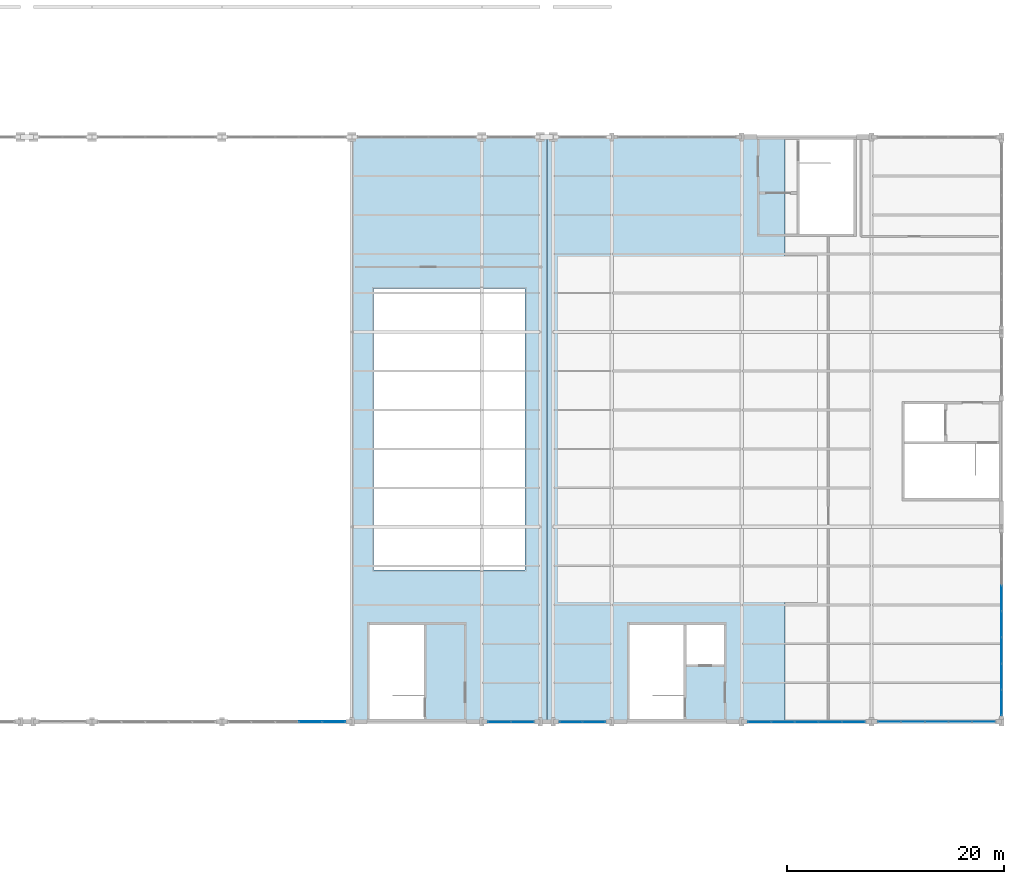
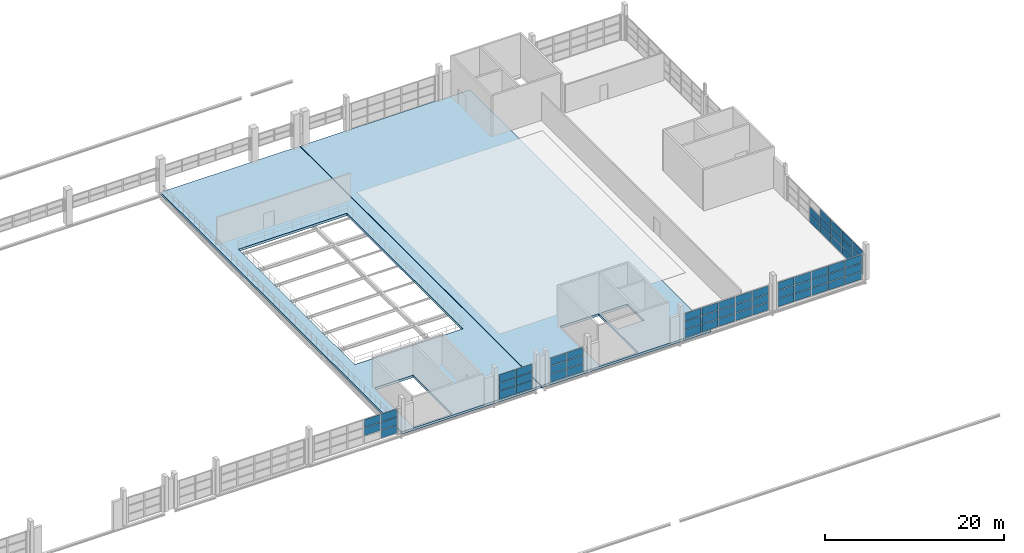
# One storey, part 72 of 86: 61 plates, 2 slabs, 6 elements without a shape of their own.
"""IFC4 building model written with IfcOpenShell, lengths in metres."""

import ifcopenshell
import ifcopenshell.guid

model = None  # the IFC model being written
_history = None  # IfcOwnerHistory: only IFC2X3 demands one
_inside = {}  # id of a spatial element -> (the spatial element, [elements in it])
_under = {}  # id of a project, library or spatial element -> (it, [spatial elements below it])
_declared = {}  # id of a project -> (the project, [libraries it declares])
_typed = {}  # id of a type object -> (the type object, [elements of that type])
_made_of = {}  # id of a material, layer set ... -> (it, [elements and type objects made of it])


def new_model(schema):
    """Start an empty IFC model of exactly this schema.

    Asked for "IFC4X3", IfcOpenShell would pick the latest addendum, in which some entities
    have other attributes; the version numbers below select the first issue.
    IFC2X3 requires an IfcOwnerHistory on every rooted entity: one is made here for all.
    """
    global model, _history
    if schema == "IFC4X3":
        model = ifcopenshell.file(schema_version=(4, 3, 0, 0))
    else:
        model = ifcopenshell.file(schema=schema)
    _inside.clear()
    _under.clear()
    _declared.clear()
    _typed.clear()
    _made_of.clear()
    _history = None
    if model.schema == "IFC2X3":
        org = make("IfcOrganization", Name="unknown")
        user = make(
            "IfcPersonAndOrganization",
            ThePerson=make("IfcPerson", FamilyName="unknown"),
            TheOrganization=org,
        )
        app = make(
            "IfcApplication",
            ApplicationDeveloper=org,
            Version="unknown",
            ApplicationFullName="unknown",
            ApplicationIdentifier="unknown",
        )
        _history = make(
            "IfcOwnerHistory",
            OwningUser=user,
            OwningApplication=app,
            ChangeAction="ADDED",
            CreationDate=0,
        )
    return model


def make(cls, **values):
    """One entity of the class cls with the attributes given. An attribute that is None is left unset."""
    return model.create_entity(
        cls, **{name: value for name, value in values.items() if value is not None}
    )


def rooted(cls, **values):
    """An entity with a GlobalId (a new one), such as an element, a storey or a relation."""
    return make(cls, GlobalId=ifcopenshell.guid.new(), OwnerHistory=_history, **values)


def si_unit(unit_type, name, prefix=None):
    """IfcSIUnit, for example si_unit("LENGTHUNIT", "METRE", prefix="MILLI")."""
    return make("IfcSIUnit", UnitType=unit_type, Prefix=prefix, Name=name)


def assignment(units):
    """IfcUnitAssignment: the units of a project."""
    return None if units is None else make("IfcUnitAssignment", Units=units)


def point(xyz):
    """IfcCartesianPoint."""
    return None if xyz is None else make("IfcCartesianPoint", Coordinates=xyz)


def direction(xyz):
    """IfcDirection."""
    return None if xyz is None else make("IfcDirection", DirectionRatios=xyz)


def frame(location, z_axis=None, x_axis=None):
    """IfcAxis2Placement3D, a coordinate frame: its origin and axes. An axis left out is left unset."""
    return make(
        "IfcAxis2Placement3D",
        Location=point(location),
        Axis=direction(z_axis),
        RefDirection=direction(x_axis),
    )


def frame_2d(location, x_axis=None):
    """IfcAxis2Placement2D, a coordinate frame in the plane: its origin and x axis."""
    return make(
        "IfcAxis2Placement2D", Location=point(location), RefDirection=direction(x_axis)
    )


def origin():
    """The frame at (0, 0, 0) with its axes left unset."""
    return frame((0.0, 0.0, 0.0))


def origin_2d():
    """The frame at (0, 0) in the plane with its x axis left unset."""
    return frame_2d((0.0, 0.0))


def place(relative_to, where):
    """IfcLocalPlacement: puts the frame where relative to a parent placement (None: the world)."""
    return make(
        "IfcLocalPlacement", PlacementRelTo=relative_to, RelativePlacement=where
    )


def context(
    kind, dimensions, precision=None, world=None, true_north=None, identifier=None
):
    """IfcGeometricRepresentationContext, for example the 3D "Model" context."""
    return make(
        "IfcGeometricRepresentationContext",
        ContextIdentifier=identifier,
        ContextType=kind,
        CoordinateSpaceDimension=dimensions,
        Precision=precision,
        WorldCoordinateSystem=world,
        TrueNorth=true_north,
    )


def subcontext(parent, identifier, kind, view, scale=None):
    """IfcGeometricRepresentationSubContext, for example "Body" below "Model"."""
    return make(
        "IfcGeometricRepresentationSubContext",
        ContextIdentifier=identifier,
        ContextType=kind,
        ParentContext=parent,
        TargetScale=scale,
        TargetView=view,
    )


def project(units=None, contexts=None):
    """IfcProject with its units and contexts."""
    return rooted(
        "IfcProject",
        Name="project",
        RepresentationContexts=contexts,
        UnitsInContext=assignment(units),
    )


def spatial(cls, under=None, at=None, **own):
    """A site, building, storey or space (cls), placed at a placement, below another one or the project."""
    s = rooted(cls, ObjectPlacement=at, **own)
    if under is not None:
        _under.setdefault(under.id(), (under, []))[1].append(s)
    return s


def polyline(points):
    """IfcPolyline through the points."""
    return make("IfcPolyline", Points=[point(p) for p in points])


def profile(cls, at=None, kind="AREA", **sizes):
    """A parametric profile (cls). Its sizes go by their IFC names, for example OverallWidth=200.0."""
    return make(cls, ProfileType=kind, Position=at, **sizes)


def rectangle(**sizes):
    """IfcRectangleProfileDef."""
    return profile("IfcRectangleProfileDef", **sizes)


def outline(outer, holes=None, kind="AREA"):
    """IfcArbitraryClosedProfileDef: a profile drawn as a closed curve; with holes, ...WithVoids."""
    if holes is None:
        return make("IfcArbitraryClosedProfileDef", ProfileType=kind, OuterCurve=outer)
    return make(
        "IfcArbitraryProfileDefWithVoids",
        ProfileType=kind,
        OuterCurve=outer,
        InnerCurves=holes,
    )


def extrude(swept, where, along, depth):
    """IfcExtrudedAreaSolid: the profile swept, set in the frame where, extruded along a direction by depth."""
    return make(
        "IfcExtrudedAreaSolid",
        SweptArea=swept,
        Position=where,
        ExtrudedDirection=direction(along),
        Depth=depth,
    )


def shape(context_of_items, identifier, shape_type, items):
    """IfcShapeRepresentation: the items that make up one representation, for example the "Body"."""
    return make(
        "IfcShapeRepresentation",
        ContextOfItems=context_of_items,
        RepresentationIdentifier=identifier,
        RepresentationType=shape_type,
        Items=items,
    )


def material(Name=None, Category=None):
    """IfcMaterial."""
    return make("IfcMaterial", Name=Name, Category=Category)


def layer(
    of_material, thickness, ventilated=None, Name=None, Category=None, Priority=None
):
    """IfcMaterialLayer: one layer of a wall or slab, of a material (None: an air gap)."""
    return make(
        "IfcMaterialLayer",
        Material=of_material,
        LayerThickness=thickness,
        IsVentilated=ventilated,
        Name=Name,
        Category=Category,
        Priority=Priority,
    )


def layer_set(layers, Name=None):
    """IfcMaterialLayerSet."""
    return make("IfcMaterialLayerSet", MaterialLayers=layers, LayerSetName=Name)


def made_of(thing, what):
    """Note that an element or type object is made of a material, layer set ...; save() writes the relation."""
    if what is not None:
        _made_of.setdefault(what.id(), (what, []))[1].append(thing)
    return thing


def type_object(cls, material=None, **own):
    """A type object (cls), such as IfcWallType, which elements share."""
    return made_of(rooted(cls, **own), material)


def element(
    cls,
    number,
    at=None,
    inside=None,
    cuts=None,
    type_object=None,
    material=None,
    context=None,
    identifier="Body",
    shape_type=None,
    held_by="IfcProductDefinitionShape",
    body=None,
    shapes=None,
    **own,
):
    """One element of the class cls, such as IfcWall. Its Tag is "e" and its number.

    at: its placement. inside: the storey or other place that contains it. cuts: it is an
    opening in that element (IfcRelVoidsElement). A single representation is given by context,
    identifier, shape_type and body (its items); several are given by shapes. held_by: the class
    of the entity that holds the representations. save() writes the other relations.
    """
    e = rooted(cls, Tag="e%d" % number, ObjectPlacement=at, **own)
    if body is not None:
        shapes = [shape(context, identifier, shape_type, body)]
    if shapes is not None:
        e.Representation = make(held_by, Representations=shapes)
    if inside is not None:
        _inside.setdefault(inside.id(), (inside, []))[1].append(e)
    if cuts is not None:
        rooted(
            "IfcRelVoidsElement", RelatingBuildingElement=cuts, RelatedOpeningElement=e
        )
    if type_object is not None:
        _typed.setdefault(type_object.id(), (type_object, []))[1].append(e)
    return made_of(e, material)


def aggregate(whole, parts):
    """IfcRelAggregates: a whole, such as a stair, and the parts it consists of."""
    return rooted("IfcRelAggregates", RelatingObject=whole, RelatedObjects=parts)


def save(model, path):
    """Write the relations noted so far, then the file.

    IfcRelAggregates (storeys below a building ...), IfcRelContainedInSpatialStructure (elements
    in a storey), IfcRelDefinesByType, IfcRelAssociatesMaterial and IfcRelDeclares: one each for
    every whole, place, type object, material and project.
    """
    for whole, parts in _under.values():
        aggregate(whole, parts)
    for where, things in _inside.values():
        rooted(
            "IfcRelContainedInSpatialStructure",
            RelatedElements=things,
            RelatingStructure=where,
        )
    for kind, things in _typed.values():
        rooted("IfcRelDefinesByType", RelatedObjects=things, RelatingType=kind)
    for what, things in _made_of.values():
        rooted("IfcRelAssociatesMaterial", RelatedObjects=things, RelatingMaterial=what)
    for by, libraries in _declared.values():
        rooted("IfcRelDeclares", RelatingContext=by, RelatedDefinitions=libraries)
    model.write(path)


model = new_model("IFC4")

# Units and contexts
model_context = context("Model", 3, precision=1e-05, world=origin(), true_north=direction((0.0, 1.0)))
body_context = subcontext(model_context, "Body", "Model", "MODEL_VIEW")
ifc_project = project(units=[si_unit("LENGTHUNIT", "METRE"), si_unit("AREAUNIT", "SQUARE_METRE"), si_unit("VOLUMEUNIT", "CUBIC_METRE"), si_unit("PLANEANGLEUNIT", "RADIAN"), si_unit("MASSUNIT", "GRAM", prefix="KILO")], contexts=[model_context])

# Site, building, storey
site_placement = place(None, origin())
site = spatial("IfcSite", under=ifc_project, at=site_placement, CompositionType="ELEMENT")
building_placement = place(site_placement, origin())
building = spatial("IfcBuilding", under=site, at=building_placement, Name="Zilviju Railside Exhibition Hall", CompositionType="ELEMENT")
storey_placement = place(building_placement, frame((0.0, 0.0, 12.60009765625)))
storey = spatial("IfcBuildingStorey", under=building, at=storey_placement, Name="L04", CompositionType="ELEMENT", Elevation=12.60009765625)

# Curtain wall, plates
ifc_material_1 = material(Name="Thermally broken aluminium-steel triple-glazed curtain wall", Category="steel")
ifc_layer_1 = layer(ifc_material_1, 0.179931640625)
ifc_layer_set_1 = layer_set([ifc_layer_1], Name="Thermally broken aluminium-steel triple-glazed curtain wall")
curtain_wall_type_1 = type_object("IfcCurtainWallType", Name="CW-BAY-19", PredefinedType="USERDEFINED", material=ifc_layer_set_1)
curtain_wall_1_placement = place(storey_placement, origin())
curtain_wall_1 = element("IfcCurtainWall", 1, at=curtain_wall_1_placement, inside=storey, type_object=curtain_wall_type_1, Name="North Hall Garden Court Curtain Wall L04 (204..216)", ObjectType="GLAZED CURTAIN WALL", PredefinedType="USERDEFINED")
ifc_material_2 = material(Name="Laminated acoustic double-glazed porch unit", Category="glass")
ifc_layer_2 = layer(ifc_material_2, 0.031982421875)
ifc_layer_set_2 = layer_set([ifc_layer_2], Name="Laminated acoustic double-glazed porch unit")
plate_type_1 = type_object("IfcPlateType", Name="CWP-IGU-32", PredefinedType="CURTAIN_PANEL", material=ifc_layer_set_2)
plate_1_placement = place(storey_placement, frame((214.344970703125, 84.0, 0.059814453125), z_axis=(0.0, 0.0, 1.0), x_axis=(-1.0, 0.0, 0.0)))
plate_1 = element("IfcPlate", 2, at=plate_1_placement, type_object=plate_type_1, Name="CW-19 panel 1.1", PredefinedType="CURTAIN_PANEL", context=body_context, shape_type="SweptSolid", body=[
    extrude(rectangle(XDim=2.090087890625, YDim=0.031982421875, at=origin_2d()), origin(), (0.0, 0.0, 1.0), 1.06005859375),
])
plate_2_placement = place(storey_placement, frame((214.344970703125, 84.0, 1.1796875), z_axis=(0.0, 0.0, 1.0), x_axis=(-1.0, 0.0, 0.0)))
plate_2 = element("IfcPlate", 3, at=plate_2_placement, type_object=plate_type_1, Name="CW-19 panel 1.2", PredefinedType="CURTAIN_PANEL", context=body_context, shape_type="SweptSolid", body=[
    extrude(rectangle(XDim=2.090087890625, YDim=0.031982421875, at=origin_2d()), origin(), (0.0, 0.0, 1.0), 1.090087890625),
])
plate_3_placement = place(storey_placement, frame((214.344970703125, 84.0, 2.329833984375), z_axis=(0.0, 0.0, 1.0), x_axis=(-1.0, 0.0, 0.0)))
plate_3 = element("IfcPlate", 4, at=plate_3_placement, type_object=plate_type_1, Name="CW-19 panel 1.3", PredefinedType="CURTAIN_PANEL", context=body_context, shape_type="SweptSolid", body=[
    extrude(rectangle(XDim=2.090087890625, YDim=0.031982421875, at=origin_2d()), origin(), (0.0, 0.0, 1.0), 1.06005859375),
])
plate_4_placement = place(storey_placement, frame((212.179931640625, 84.0, 0.059814453125), z_axis=(0.0, 0.0, 1.0), x_axis=(-1.0, 0.0, 0.0)))
plate_4 = element("IfcPlate", 5, at=plate_4_placement, type_object=plate_type_1, Name="CW-19 panel 2.1", PredefinedType="CURTAIN_PANEL", context=body_context, shape_type="SweptSolid", body=[
    extrude(rectangle(XDim=2.1201171875, YDim=0.031982421875, at=origin_2d()), origin(), (0.0, 0.0, 1.0), 1.06005859375),
])
plate_5_placement = place(storey_placement, frame((212.179931640625, 84.0, 1.1796875), z_axis=(0.0, 0.0, 1.0), x_axis=(-1.0, 0.0, 0.0)))
plate_5 = element("IfcPlate", 6, at=plate_5_placement, type_object=plate_type_1, Name="CW-19 panel 2.2", PredefinedType="CURTAIN_PANEL", context=body_context, shape_type="SweptSolid", body=[
    extrude(rectangle(XDim=2.1201171875, YDim=0.031982421875, at=origin_2d()), origin(), (0.0, 0.0, 1.0), 1.090087890625),
])
plate_6_placement = place(storey_placement, frame((212.179931640625, 84.0, 2.329833984375), z_axis=(0.0, 0.0, 1.0), x_axis=(-1.0, 0.0, 0.0)))
plate_6 = element("IfcPlate", 7, at=plate_6_placement, type_object=plate_type_1, Name="CW-19 panel 2.3", PredefinedType="CURTAIN_PANEL", context=body_context, shape_type="SweptSolid", body=[
    extrude(rectangle(XDim=2.1201171875, YDim=0.031982421875, at=origin_2d()), origin(), (0.0, 0.0, 1.0), 1.06005859375),
])
plate_7_placement = place(storey_placement, frame((210.0, 84.0, 0.059814453125), z_axis=(0.0, 0.0, 1.0), x_axis=(-1.0, 0.0, 0.0)))
plate_7 = element("IfcPlate", 8, at=plate_7_placement, type_object=plate_type_1, Name="CW-19 panel 3.1", PredefinedType="CURTAIN_PANEL", context=body_context, shape_type="SweptSolid", body=[
    extrude(rectangle(XDim=2.1201171875, YDim=0.031982421875, at=origin_2d()), origin(), (0.0, 0.0, 1.0), 1.06005859375),
])
plate_8_placement = place(storey_placement, frame((210.0, 84.0, 1.1796875), z_axis=(0.0, 0.0, 1.0), x_axis=(-1.0, 0.0, 0.0)))
plate_8 = element("IfcPlate", 9, at=plate_8_placement, type_object=plate_type_1, Name="CW-19 panel 3.2", PredefinedType="CURTAIN_PANEL", context=body_context, shape_type="SweptSolid", body=[
    extrude(rectangle(XDim=2.1201171875, YDim=0.031982421875, at=origin_2d()), origin(), (0.0, 0.0, 1.0), 1.090087890625),
])
plate_9_placement = place(storey_placement, frame((210.0, 84.0, 2.329833984375), z_axis=(0.0, 0.0, 1.0), x_axis=(-1.0, 0.0, 0.0)))
plate_9 = element("IfcPlate", 10, at=plate_9_placement, type_object=plate_type_1, Name="CW-19 panel 3.3", PredefinedType="CURTAIN_PANEL", context=body_context, shape_type="SweptSolid", body=[
    extrude(rectangle(XDim=2.1201171875, YDim=0.031982421875, at=origin_2d()), origin(), (0.0, 0.0, 1.0), 1.06005859375),
])
plate_10_placement = place(storey_placement, frame((207.820068359375, 84.0, 0.059814453125), z_axis=(0.0, 0.0, 1.0), x_axis=(-1.0, 0.0, 0.0)))
plate_10 = element("IfcPlate", 11, at=plate_10_placement, type_object=plate_type_1, Name="CW-19 panel 4.1", PredefinedType="CURTAIN_PANEL", context=body_context, shape_type="SweptSolid", body=[
    extrude(rectangle(XDim=2.1201171875, YDim=0.031982421875, at=origin_2d()), origin(), (0.0, 0.0, 1.0), 1.06005859375),
])
plate_11_placement = place(storey_placement, frame((207.820068359375, 84.0, 1.1796875), z_axis=(0.0, 0.0, 1.0), x_axis=(-1.0, 0.0, 0.0)))
plate_11 = element("IfcPlate", 12, at=plate_11_placement, type_object=plate_type_1, Name="CW-19 panel 4.2", PredefinedType="CURTAIN_PANEL", context=body_context, shape_type="SweptSolid", body=[
    extrude(rectangle(XDim=2.1201171875, YDim=0.031982421875, at=origin_2d()), origin(), (0.0, 0.0, 1.0), 1.090087890625),
])
plate_12_placement = place(storey_placement, frame((207.820068359375, 84.0, 2.329833984375), z_axis=(0.0, 0.0, 1.0), x_axis=(-1.0, 0.0, 0.0)))
plate_12 = element("IfcPlate", 13, at=plate_12_placement, type_object=plate_type_1, Name="CW-19 panel 4.3", PredefinedType="CURTAIN_PANEL", context=body_context, shape_type="SweptSolid", body=[
    extrude(rectangle(XDim=2.1201171875, YDim=0.031982421875, at=origin_2d()), origin(), (0.0, 0.0, 1.0), 1.06005859375),
])
plate_13_placement = place(storey_placement, frame((205.655029296875, 84.0, 0.059814453125), z_axis=(0.0, 0.0, 1.0), x_axis=(-1.0, 0.0, 0.0)))
plate_13 = element("IfcPlate", 14, at=plate_13_placement, type_object=plate_type_1, Name="CW-19 panel 5.1", PredefinedType="CURTAIN_PANEL", context=body_context, shape_type="SweptSolid", body=[
    extrude(rectangle(XDim=2.090087890625, YDim=0.031982421875, at=origin_2d()), origin(), (0.0, 0.0, 1.0), 1.06005859375),
])
plate_14_placement = place(storey_placement, frame((205.655029296875, 84.0, 1.1796875), z_axis=(0.0, 0.0, 1.0), x_axis=(-1.0, 0.0, 0.0)))
plate_14 = element("IfcPlate", 15, at=plate_14_placement, type_object=plate_type_1, Name="CW-19 panel 5.2", PredefinedType="CURTAIN_PANEL", context=body_context, shape_type="SweptSolid", body=[
    extrude(rectangle(XDim=2.090087890625, YDim=0.031982421875, at=origin_2d()), origin(), (0.0, 0.0, 1.0), 1.090087890625),
])
plate_15_placement = place(storey_placement, frame((205.655029296875, 84.0, 2.329833984375), z_axis=(0.0, 0.0, 1.0), x_axis=(-1.0, 0.0, 0.0)))
plate_15 = element("IfcPlate", 16, at=plate_15_placement, type_object=plate_type_1, Name="CW-19 panel 5.3", PredefinedType="CURTAIN_PANEL", context=body_context, shape_type="SweptSolid", body=[
    extrude(rectangle(XDim=2.090087890625, YDim=0.031982421875, at=origin_2d()), origin(), (0.0, 0.0, 1.0), 1.06005859375),
])
aggregate(curtain_wall_1, [plate_1, plate_2, plate_3, plate_4, plate_5, plate_6, plate_7, plate_8, plate_9, plate_10, plate_11, plate_12, plate_13, plate_14, plate_15])

ifc_layer_3 = layer(ifc_material_1, 0.179931640625)
ifc_layer_set_3 = layer_set([ifc_layer_3], Name="Thermally broken aluminium-steel triple-glazed curtain wall")
curtain_wall_type_2 = type_object("IfcCurtainWallType", Name="CW-BAY-18", PredefinedType="USERDEFINED", material=ifc_layer_set_3)
curtain_wall_2_placement = place(storey_placement, origin())
curtain_wall_2 = element("IfcCurtainWall", 17, at=curtain_wall_2_placement, inside=storey, type_object=curtain_wall_type_2, Name="North Hall Garden Court Curtain Wall L04 (192..204)", ObjectType="GLAZED CURTAIN WALL", PredefinedType="USERDEFINED")
ifc_material_3 = material(Name="Triple-glazed solar-control glass unit", Category="glass")
ifc_layer_4 = layer(ifc_material_3, 0.0380859375)
ifc_layer_set_4 = layer_set([ifc_layer_4], Name="Triple-glazed solar-control glass unit")
plate_type_2 = type_object("IfcPlateType", Name="CWP-IGU-38", PredefinedType="CURTAIN_PANEL", material=ifc_layer_set_4)
plate_16_placement = place(storey_placement, frame((202.34375, 84.0, 0.06494140625), z_axis=(0.0, 0.0, 1.0), x_axis=(-1.0, 0.0, 0.0)))
plate_16 = element("IfcPlate", 18, at=plate_16_placement, type_object=plate_type_2, Name="CW-18 panel 1.1", PredefinedType="CURTAIN_PANEL", context=body_context, shape_type="SweptSolid", body=[
    extrude(rectangle(XDim=2.08251953125, YDim=0.0380859375, at=origin_2d()), origin(), (0.0, 0.0, 1.0), 1.052490234375),
])
plate_17_placement = place(storey_placement, frame((202.34375, 84.0, 1.182373046875), z_axis=(0.0, 0.0, 1.0), x_axis=(-1.0, 0.0, 0.0)))
plate_17 = element("IfcPlate", 19, at=plate_17_placement, type_object=plate_type_2, Name="CW-18 panel 1.2", PredefinedType="CURTAIN_PANEL", context=body_context, shape_type="SweptSolid", body=[
    extrude(rectangle(XDim=2.08251953125, YDim=0.0380859375, at=origin_2d()), origin(), (0.0, 0.0, 1.0), 1.0849609375),
])
plate_18_placement = place(storey_placement, frame((202.34375, 84.0, 2.33251953125), z_axis=(0.0, 0.0, 1.0), x_axis=(-1.0, 0.0, 0.0)))
plate_18 = element("IfcPlate", 20, at=plate_18_placement, type_object=plate_type_2, Name="CW-18 panel 1.3", PredefinedType="CURTAIN_PANEL", context=body_context, shape_type="SweptSolid", body=[
    extrude(rectangle(XDim=2.08251953125, YDim=0.0380859375, at=origin_2d()), origin(), (0.0, 0.0, 1.0), 1.052490234375),
])
plate_19_placement = place(storey_placement, frame((200.179931640625, 84.0, 0.06494140625), z_axis=(0.0, 0.0, 1.0), x_axis=(-1.0, 0.0, 0.0)))
plate_19 = element("IfcPlate", 21, at=plate_19_placement, type_object=plate_type_2, Name="CW-18 panel 2.1", PredefinedType="CURTAIN_PANEL", context=body_context, shape_type="SweptSolid", body=[
    extrude(rectangle(XDim=2.114990234375, YDim=0.0380859375, at=origin_2d()), origin(), (0.0, 0.0, 1.0), 1.052490234375),
])
plate_20_placement = place(storey_placement, frame((200.179931640625, 84.0, 1.182373046875), z_axis=(0.0, 0.0, 1.0), x_axis=(-1.0, 0.0, 0.0)))
plate_20 = element("IfcPlate", 22, at=plate_20_placement, type_object=plate_type_2, Name="CW-18 panel 2.2", PredefinedType="CURTAIN_PANEL", context=body_context, shape_type="SweptSolid", body=[
    extrude(rectangle(XDim=2.114990234375, YDim=0.0380859375, at=origin_2d()), origin(), (0.0, 0.0, 1.0), 1.0849609375),
])
plate_21_placement = place(storey_placement, frame((200.179931640625, 84.0, 2.33251953125), z_axis=(0.0, 0.0, 1.0), x_axis=(-1.0, 0.0, 0.0)))
plate_21 = element("IfcPlate", 23, at=plate_21_placement, type_object=plate_type_2, Name="CW-18 panel 2.3", PredefinedType="CURTAIN_PANEL", context=body_context, shape_type="SweptSolid", body=[
    extrude(rectangle(XDim=2.114990234375, YDim=0.0380859375, at=origin_2d()), origin(), (0.0, 0.0, 1.0), 1.052490234375),
])
plate_22_placement = place(storey_placement, frame((198.0, 84.0, 0.06494140625), z_axis=(0.0, 0.0, 1.0), x_axis=(-1.0, 0.0, 0.0)))
plate_22 = element("IfcPlate", 24, at=plate_22_placement, type_object=plate_type_2, Name="CW-18 panel 3.1", PredefinedType="CURTAIN_PANEL", context=body_context, shape_type="SweptSolid", body=[
    extrude(rectangle(XDim=2.114990234375, YDim=0.0380859375, at=origin_2d()), origin(), (0.0, 0.0, 1.0), 1.052490234375),
])
plate_23_placement = place(storey_placement, frame((198.0, 84.0, 1.182373046875), z_axis=(0.0, 0.0, 1.0), x_axis=(-1.0, 0.0, 0.0)))
plate_23 = element("IfcPlate", 25, at=plate_23_placement, type_object=plate_type_2, Name="CW-18 panel 3.2", PredefinedType="CURTAIN_PANEL", context=body_context, shape_type="SweptSolid", body=[
    extrude(rectangle(XDim=2.114990234375, YDim=0.0380859375, at=origin_2d()), origin(), (0.0, 0.0, 1.0), 1.0849609375),
])
plate_24_placement = place(storey_placement, frame((198.0, 84.0, 2.33251953125), z_axis=(0.0, 0.0, 1.0), x_axis=(-1.0, 0.0, 0.0)))
plate_24 = element("IfcPlate", 26, at=plate_24_placement, type_object=plate_type_2, Name="CW-18 panel 3.3", PredefinedType="CURTAIN_PANEL", context=body_context, shape_type="SweptSolid", body=[
    extrude(rectangle(XDim=2.114990234375, YDim=0.0380859375, at=origin_2d()), origin(), (0.0, 0.0, 1.0), 1.052490234375),
])
plate_25_placement = place(storey_placement, frame((195.820068359375, 84.0, 0.06494140625), z_axis=(0.0, 0.0, 1.0), x_axis=(-1.0, 0.0, 0.0)))
plate_25 = element("IfcPlate", 27, at=plate_25_placement, type_object=plate_type_2, Name="CW-18 panel 4.1", PredefinedType="CURTAIN_PANEL", context=body_context, shape_type="SweptSolid", body=[
    extrude(rectangle(XDim=2.114990234375, YDim=0.0380859375, at=origin_2d()), origin(), (0.0, 0.0, 1.0), 1.052490234375),
])
plate_26_placement = place(storey_placement, frame((195.820068359375, 84.0, 1.182373046875), z_axis=(0.0, 0.0, 1.0), x_axis=(-1.0, 0.0, 0.0)))
plate_26 = element("IfcPlate", 28, at=plate_26_placement, type_object=plate_type_2, Name="CW-18 panel 4.2", PredefinedType="CURTAIN_PANEL", context=body_context, shape_type="SweptSolid", body=[
    extrude(rectangle(XDim=2.114990234375, YDim=0.0380859375, at=origin_2d()), origin(), (0.0, 0.0, 1.0), 1.0849609375),
])
plate_27_placement = place(storey_placement, frame((195.820068359375, 84.0, 2.33251953125), z_axis=(0.0, 0.0, 1.0), x_axis=(-1.0, 0.0, 0.0)))
plate_27 = element("IfcPlate", 29, at=plate_27_placement, type_object=plate_type_2, Name="CW-18 panel 4.3", PredefinedType="CURTAIN_PANEL", context=body_context, shape_type="SweptSolid", body=[
    extrude(rectangle(XDim=2.114990234375, YDim=0.0380859375, at=origin_2d()), origin(), (0.0, 0.0, 1.0), 1.052490234375),
])
plate_28_placement = place(storey_placement, frame((193.65625, 84.0, 0.06494140625), z_axis=(0.0, 0.0, 1.0), x_axis=(-1.0, 0.0, 0.0)))
plate_28 = element("IfcPlate", 30, at=plate_28_placement, type_object=plate_type_2, Name="CW-18 panel 5.1", PredefinedType="CURTAIN_PANEL", context=body_context, shape_type="SweptSolid", body=[
    extrude(rectangle(XDim=2.08251953125, YDim=0.0380859375, at=origin_2d()), origin(), (0.0, 0.0, 1.0), 1.052490234375),
])
plate_29_placement = place(storey_placement, frame((193.65625, 84.0, 1.182373046875), z_axis=(0.0, 0.0, 1.0), x_axis=(-1.0, 0.0, 0.0)))
plate_29 = element("IfcPlate", 31, at=plate_29_placement, type_object=plate_type_2, Name="CW-18 panel 5.2", PredefinedType="CURTAIN_PANEL", context=body_context, shape_type="SweptSolid", body=[
    extrude(rectangle(XDim=2.08251953125, YDim=0.0380859375, at=origin_2d()), origin(), (0.0, 0.0, 1.0), 1.0849609375),
])
plate_30_placement = place(storey_placement, frame((193.65625, 84.0, 2.33251953125), z_axis=(0.0, 0.0, 1.0), x_axis=(-1.0, 0.0, 0.0)))
plate_30 = element("IfcPlate", 32, at=plate_30_placement, type_object=plate_type_2, Name="CW-18 panel 5.3", PredefinedType="CURTAIN_PANEL", context=body_context, shape_type="SweptSolid", body=[
    extrude(rectangle(XDim=2.08251953125, YDim=0.0380859375, at=origin_2d()), origin(), (0.0, 0.0, 1.0), 1.052490234375),
])
aggregate(curtain_wall_2, [plate_16, plate_17, plate_18, plate_19, plate_20, plate_21, plate_22, plate_23, plate_24, plate_25, plate_26, plate_27, plate_28, plate_29, plate_30])

ifc_layer_5 = layer(ifc_material_1, 0.179931640625)
ifc_layer_set_5 = layer_set([ifc_layer_5], Name="Thermally broken aluminium-steel triple-glazed curtain wall")
curtain_wall_type_3 = type_object("IfcCurtainWallType", Name="CW-BAY-16", PredefinedType="USERDEFINED", material=ifc_layer_set_5)
curtain_wall_3_placement = place(storey_placement, origin())
curtain_wall_3 = element("IfcCurtainWall", 33, at=curtain_wall_3_placement, inside=storey, type_object=curtain_wall_type_3, Name="North Hall Garden Court Curtain Wall L04 (168..173)", ObjectType="GLAZED CURTAIN WALL", PredefinedType="USERDEFINED")
ifc_material_4 = material(Name="Triple-glazed low-E argon insulating glass unit", Category="glass")
ifc_layer_6 = layer(ifc_material_4, 0.0439453125)
ifc_layer_set_6 = layer_set([ifc_layer_6], Name="Triple-glazed low-E argon insulating glass unit")
plate_type_3 = type_object("IfcPlateType", Name="CWP-IGU-44", PredefinedType="CURTAIN_PANEL", material=ifc_layer_set_6)
plate_31_placement = place(storey_placement, frame((171.76123046875, 84.0, 0.054931640625), z_axis=(0.0, 0.0, 1.0), x_axis=(-1.0, 0.0, 0.0)))
plate_31 = element("IfcPlate", 34, at=plate_31_placement, type_object=plate_type_3, Name="CW-16 panel 1.1", PredefinedType="CURTAIN_PANEL", context=body_context, shape_type="SweptSolid", body=[
    extrude(rectangle(XDim=2.0673828125, YDim=0.0439453125, at=origin_2d()), origin(), (0.0, 0.0, 1.0), 1.0673828125),
])
plate_32_placement = place(storey_placement, frame((171.76123046875, 84.0, 1.17724609375), z_axis=(0.0, 0.0, 1.0), x_axis=(-1.0, 0.0, 0.0)))
plate_32 = element("IfcPlate", 35, at=plate_32_placement, type_object=plate_type_3, Name="CW-16 panel 1.2", PredefinedType="CURTAIN_PANEL", context=body_context, shape_type="SweptSolid", body=[
    extrude(rectangle(XDim=2.0673828125, YDim=0.0439453125, at=origin_2d()), origin(), (0.0, 0.0, 1.0), 1.094970703125),
])
plate_33_placement = place(storey_placement, frame((171.76123046875, 84.0, 2.327392578125), z_axis=(0.0, 0.0, 1.0), x_axis=(-1.0, 0.0, 0.0)))
plate_33 = element("IfcPlate", 36, at=plate_33_placement, type_object=plate_type_3, Name="CW-16 panel 1.3", PredefinedType="CURTAIN_PANEL", context=body_context, shape_type="SweptSolid", body=[
    extrude(rectangle(XDim=2.0673828125, YDim=0.0439453125, at=origin_2d()), origin(), (0.0, 0.0, 1.0), 1.0673828125),
])
plate_34_placement = place(storey_placement, frame((169.638671875, 84.0, 0.054931640625), z_axis=(0.0, 0.0, 1.0), x_axis=(-1.0, 0.0, 0.0)))
plate_34 = element("IfcPlate", 37, at=plate_34_placement, type_object=plate_type_3, Name="CW-16 panel 2.1", PredefinedType="CURTAIN_PANEL", context=body_context, shape_type="SweptSolid", body=[
    extrude(rectangle(XDim=2.0673828125, YDim=0.0439453125, at=origin_2d()), origin(), (0.0, 0.0, 1.0), 1.0673828125),
])
plate_35_placement = place(storey_placement, frame((169.638671875, 84.0, 1.17724609375), z_axis=(0.0, 0.0, 1.0), x_axis=(-1.0, 0.0, 0.0)))
plate_35 = element("IfcPlate", 38, at=plate_35_placement, type_object=plate_type_3, Name="CW-16 panel 2.2", PredefinedType="CURTAIN_PANEL", context=body_context, shape_type="SweptSolid", body=[
    extrude(rectangle(XDim=2.0673828125, YDim=0.0439453125, at=origin_2d()), origin(), (0.0, 0.0, 1.0), 1.094970703125),
])
plate_36_placement = place(storey_placement, frame((169.638671875, 84.0, 2.327392578125), z_axis=(0.0, 0.0, 1.0), x_axis=(-1.0, 0.0, 0.0)))
plate_36 = element("IfcPlate", 39, at=plate_36_placement, type_object=plate_type_3, Name="CW-16 panel 2.3", PredefinedType="CURTAIN_PANEL", context=body_context, shape_type="SweptSolid", body=[
    extrude(rectangle(XDim=2.0673828125, YDim=0.0439453125, at=origin_2d()), origin(), (0.0, 0.0, 1.0), 1.0673828125),
])
aggregate(curtain_wall_3, [plate_31, plate_32, plate_33, plate_34, plate_35, plate_36])

ifc_layer_7 = layer(ifc_material_1, 0.179931640625)
ifc_layer_set_7 = layer_set([ifc_layer_7], Name="Thermally broken aluminium-steel triple-glazed curtain wall")
curtain_wall_type_4 = type_object("IfcCurtainWallType", Name="CW-BAY-17", PredefinedType="USERDEFINED", material=ifc_layer_set_7)
curtain_wall_4_placement = place(storey_placement, origin())
curtain_wall_4 = element("IfcCurtainWall", 40, at=curtain_wall_4_placement, inside=storey, type_object=curtain_wall_type_4, Name="North Hall Garden Court Curtain Wall L04 (175..180)", ObjectType="GLAZED CURTAIN WALL", PredefinedType="USERDEFINED")
plate_37_placement = place(storey_placement, frame((178.357421875, 84.0, 0.06982421875), z_axis=(0.0, 0.0, 1.0), x_axis=(-1.0, 0.0, 0.0)))
plate_37 = element("IfcPlate", 41, at=plate_37_placement, type_object=plate_type_3, Name="CW-17 panel 1.1", PredefinedType="CURTAIN_PANEL", context=body_context, shape_type="SweptSolid", body=[
    extrude(rectangle(XDim=2.044921875, YDim=0.0439453125, at=origin_2d()), origin(), (0.0, 0.0, 1.0), 1.044921875),
])
plate_38_placement = place(storey_placement, frame((178.357421875, 84.0, 1.184814453125), z_axis=(0.0, 0.0, 1.0), x_axis=(-1.0, 0.0, 0.0)))
plate_38 = element("IfcPlate", 42, at=plate_38_placement, type_object=plate_type_3, Name="CW-17 panel 1.2", PredefinedType="CURTAIN_PANEL", context=body_context, shape_type="SweptSolid", body=[
    extrude(rectangle(XDim=2.044921875, YDim=0.0439453125, at=origin_2d()), origin(), (0.0, 0.0, 1.0), 1.080078125),
])
plate_39_placement = place(storey_placement, frame((178.357421875, 84.0, 2.3349609375), z_axis=(0.0, 0.0, 1.0), x_axis=(-1.0, 0.0, 0.0)))
plate_39 = element("IfcPlate", 43, at=plate_39_placement, type_object=plate_type_3, Name="CW-17 panel 1.3", PredefinedType="CURTAIN_PANEL", context=body_context, shape_type="SweptSolid", body=[
    extrude(rectangle(XDim=2.044921875, YDim=0.0439453125, at=origin_2d()), origin(), (0.0, 0.0, 1.0), 1.044921875),
])
plate_40_placement = place(storey_placement, frame((176.242431640625, 84.0, 0.06982421875), z_axis=(0.0, 0.0, 1.0), x_axis=(-1.0, 0.0, 0.0)))
plate_40 = element("IfcPlate", 44, at=plate_40_placement, type_object=plate_type_3, Name="CW-17 panel 2.1", PredefinedType="CURTAIN_PANEL", context=body_context, shape_type="SweptSolid", body=[
    extrude(rectangle(XDim=2.044921875, YDim=0.0439453125, at=origin_2d()), origin(), (0.0, 0.0, 1.0), 1.044921875),
])
plate_41_placement = place(storey_placement, frame((176.242431640625, 84.0, 1.184814453125), z_axis=(0.0, 0.0, 1.0), x_axis=(-1.0, 0.0, 0.0)))
plate_41 = element("IfcPlate", 45, at=plate_41_placement, type_object=plate_type_3, Name="CW-17 panel 2.2", PredefinedType="CURTAIN_PANEL", context=body_context, shape_type="SweptSolid", body=[
    extrude(rectangle(XDim=2.044921875, YDim=0.0439453125, at=origin_2d()), origin(), (0.0, 0.0, 1.0), 1.080078125),
])
plate_42_placement = place(storey_placement, frame((176.242431640625, 84.0, 2.3349609375), z_axis=(0.0, 0.0, 1.0), x_axis=(-1.0, 0.0, 0.0)))
plate_42 = element("IfcPlate", 46, at=plate_42_placement, type_object=plate_type_3, Name="CW-17 panel 2.3", PredefinedType="CURTAIN_PANEL", context=body_context, shape_type="SweptSolid", body=[
    extrude(rectangle(XDim=2.044921875, YDim=0.0439453125, at=origin_2d()), origin(), (0.0, 0.0, 1.0), 1.044921875),
])
aggregate(curtain_wall_4, [plate_37, plate_38, plate_39, plate_40, plate_41, plate_42])

ifc_layer_8 = layer(ifc_material_1, 0.179931640625)
ifc_layer_set_8 = layer_set([ifc_layer_8], Name="Thermally broken aluminium-steel triple-glazed curtain wall")
curtain_wall_type_5 = type_object("IfcCurtainWallType", Name="CW-BAY-15", PredefinedType="USERDEFINED", material=ifc_layer_set_8)
curtain_wall_5_placement = place(storey_placement, origin())
curtain_wall_5 = element("IfcCurtainWall", 47, at=curtain_wall_5_placement, inside=storey, type_object=curtain_wall_type_5, Name="North Hall Garden Court Curtain Wall L04 (144..156)", ObjectType="GLAZED CURTAIN WALL", PredefinedType="USERDEFINED")
ifc_material_5 = material(Name="Insulated emerald ceramic-frit spandrel panel", Category="glass")
ifc_layer_9 = layer(ifc_material_5, 0.06396484375)
ifc_layer_set_9 = layer_set([ifc_layer_9], Name="Insulated emerald ceramic-frit spandrel panel")
plate_type_4 = type_object("IfcPlateType", Name="CWP-SPD-64", PredefinedType="CURTAIN_PANEL", material=ifc_layer_set_9)
plate_43_placement = place(storey_placement, frame((154.34130859375, 84.0, 0.074951171875), z_axis=(0.0, 0.0, 1.0), x_axis=(-1.0, 0.0, 0.0)))
plate_43 = element("IfcPlate", 48, at=plate_43_placement, type_object=plate_type_4, Name="CW-15 panel 1.1", PredefinedType="CURTAIN_PANEL", context=body_context, shape_type="SweptSolid", body=[
    extrude(rectangle(XDim=2.0673828125, YDim=0.06396484375, at=origin_2d()), origin(), (0.0, 0.0, 1.0), 1.03759765625),
])
plate_44_placement = place(storey_placement, frame((154.34130859375, 84.0, 1.1875), z_axis=(0.0, 0.0, 1.0), x_axis=(-1.0, 0.0, 0.0)))
plate_44 = element("IfcPlate", 49, at=plate_44_placement, type_object=plate_type_4, Name="CW-15 panel 1.2", PredefinedType="CURTAIN_PANEL", context=body_context, shape_type="SweptSolid", body=[
    extrude(rectangle(XDim=2.0673828125, YDim=0.06396484375, at=origin_2d()), origin(), (0.0, 0.0, 1.0), 1.074951171875),
])
plate_45_placement = place(storey_placement, frame((154.34130859375, 84.0, 2.33740234375), z_axis=(0.0, 0.0, 1.0), x_axis=(-1.0, 0.0, 0.0)))
plate_45 = element("IfcPlate", 50, at=plate_45_placement, type_object=plate_type_4, Name="CW-15 panel 1.3", PredefinedType="CURTAIN_PANEL", context=body_context, shape_type="SweptSolid", body=[
    extrude(rectangle(XDim=2.0673828125, YDim=0.06396484375, at=origin_2d()), origin(), (0.0, 0.0, 1.0), 1.03759765625),
])
plate_46_placement = place(storey_placement, frame((152.179931640625, 84.0, 1.1875), z_axis=(0.0, 0.0, 1.0), x_axis=(-1.0, 0.0, 0.0)))
plate_46 = element("IfcPlate", 51, at=plate_46_placement, type_object=plate_type_4, Name="CW-15 panel 2.2", PredefinedType="CURTAIN_PANEL", context=body_context, shape_type="SweptSolid", body=[
    extrude(rectangle(XDim=2.10498046875, YDim=0.06396484375, at=origin_2d()), origin(), (0.0, 0.0, 1.0), 1.074951171875),
])
plate_47_placement = place(storey_placement, frame((152.179931640625, 84.0, 2.33740234375), z_axis=(0.0, 0.0, 1.0), x_axis=(-1.0, 0.0, 0.0)))
plate_47 = element("IfcPlate", 52, at=plate_47_placement, type_object=plate_type_4, Name="CW-15 panel 2.3", PredefinedType="CURTAIN_PANEL", context=body_context, shape_type="SweptSolid", body=[
    extrude(rectangle(XDim=2.10498046875, YDim=0.06396484375, at=origin_2d()), origin(), (0.0, 0.0, 1.0), 1.03759765625),
])
aggregate(curtain_wall_5, [plate_43, plate_44, plate_45, plate_46, plate_47])

ifc_layer_10 = layer(ifc_material_1, 0.179931640625)
ifc_layer_set_10 = layer_set([ifc_layer_10], Name="Thermally broken aluminium-steel triple-glazed curtain wall")
curtain_wall_type_6 = type_object("IfcCurtainWallType", Name="CW-BAY-13", PredefinedType="USERDEFINED", material=ifc_layer_set_10)
curtain_wall_6_placement = place(storey_placement, origin())
curtain_wall_6 = element("IfcCurtainWall", 53, at=curtain_wall_6_placement, inside=storey, type_object=curtain_wall_type_6, Name="North Hall East Glazed Gable L04 (84..102)", ObjectType="GLAZED CURTAIN WALL", PredefinedType="USERDEFINED")
plate_48_placement = place(storey_placement, frame((216.0, 95.414306640625, 0.074951171875), z_axis=(0.0, 0.0, 1.0), x_axis=(0.0, -1.0, 0.0)))
plate_48 = element("IfcPlate", 54, at=plate_48_placement, type_object=plate_type_4, Name="CW-13 panel 3.1", PredefinedType="CURTAIN_PANEL", context=body_context, shape_type="SweptSolid", body=[
    extrude(rectangle(XDim=2.33935546875, YDim=0.06396484375, at=origin_2d()), origin(), (0.0, 0.0, 1.0), 1.00439453125),
])
plate_49_placement = place(storey_placement, frame((216.0, 95.414306640625, 1.154296875), z_axis=(0.0, 0.0, 1.0), x_axis=(0.0, -1.0, 0.0)))
plate_49 = element("IfcPlate", 55, at=plate_49_placement, type_object=plate_type_4, Name="CW-13 panel 3.2", PredefinedType="CURTAIN_PANEL", context=body_context, shape_type="SweptSolid", body=[
    extrude(rectangle(XDim=2.33935546875, YDim=0.06396484375, at=origin_2d()), origin(), (0.0, 0.0, 1.0), 1.041015625),
])
plate_50_placement = place(storey_placement, frame((216.0, 93.0, 0.074951171875), z_axis=(0.0, 0.0, 1.0), x_axis=(0.0, -1.0, 0.0)))
plate_50 = element("IfcPlate", 56, at=plate_50_placement, type_object=plate_type_4, Name="CW-13 panel 4.1", PredefinedType="CURTAIN_PANEL", context=body_context, shape_type="SweptSolid", body=[
    extrude(rectangle(XDim=2.33935546875, YDim=0.06396484375, at=origin_2d()), origin(), (0.0, 0.0, 1.0), 1.00439453125),
])
plate_51_placement = place(storey_placement, frame((216.0, 93.0, 1.154296875), z_axis=(0.0, 0.0, 1.0), x_axis=(0.0, -1.0, 0.0)))
plate_51 = element("IfcPlate", 57, at=plate_51_placement, type_object=plate_type_4, Name="CW-13 panel 4.2", PredefinedType="CURTAIN_PANEL", context=body_context, shape_type="SweptSolid", body=[
    extrude(rectangle(XDim=2.33935546875, YDim=0.06396484375, at=origin_2d()), origin(), (0.0, 0.0, 1.0), 1.041015625),
])
plate_52_placement = place(storey_placement, frame((216.0, 93.0, 2.2705078125), z_axis=(0.0, 0.0, 1.0), x_axis=(0.0, -1.0, 0.0)))
plate_52 = element("IfcPlate", 58, at=plate_52_placement, type_object=plate_type_4, Name="CW-13 panel 4.3", PredefinedType="CURTAIN_PANEL", context=body_context, shape_type="SweptSolid", body=[
    extrude(rectangle(XDim=2.33935546875, YDim=0.06396484375, at=origin_2d()), origin(), (0.0, 0.0, 1.0), 1.00439453125),
])
plate_53_placement = place(storey_placement, frame((216.0, 90.585693359375, 0.074951171875), z_axis=(0.0, 0.0, 1.0), x_axis=(0.0, -1.0, 0.0)))
plate_53 = element("IfcPlate", 59, at=plate_53_placement, type_object=plate_type_4, Name="CW-13 panel 5.1", PredefinedType="CURTAIN_PANEL", context=body_context, shape_type="SweptSolid", body=[
    extrude(rectangle(XDim=2.33935546875, YDim=0.06396484375, at=origin_2d()), origin(), (0.0, 0.0, 1.0), 1.00439453125),
])
plate_54_placement = place(storey_placement, frame((216.0, 90.585693359375, 1.154296875), z_axis=(0.0, 0.0, 1.0), x_axis=(0.0, -1.0, 0.0)))
plate_54 = element("IfcPlate", 60, at=plate_54_placement, type_object=plate_type_4, Name="CW-13 panel 5.2", PredefinedType="CURTAIN_PANEL", context=body_context, shape_type="SweptSolid", body=[
    extrude(rectangle(XDim=2.33935546875, YDim=0.06396484375, at=origin_2d()), origin(), (0.0, 0.0, 1.0), 1.041015625),
])
plate_55_placement = place(storey_placement, frame((216.0, 90.585693359375, 2.2705078125), z_axis=(0.0, 0.0, 1.0), x_axis=(0.0, -1.0, 0.0)))
plate_55 = element("IfcPlate", 61, at=plate_55_placement, type_object=plate_type_4, Name="CW-13 panel 5.3", PredefinedType="CURTAIN_PANEL", context=body_context, shape_type="SweptSolid", body=[
    extrude(rectangle(XDim=2.33935546875, YDim=0.06396484375, at=origin_2d()), origin(), (0.0, 0.0, 1.0), 1.00439453125),
])
plate_56_placement = place(storey_placement, frame((216.0, 88.17138671875, 0.074951171875), z_axis=(0.0, 0.0, 1.0), x_axis=(0.0, -1.0, 0.0)))
plate_56 = element("IfcPlate", 62, at=plate_56_placement, type_object=plate_type_4, Name="CW-13 panel 6.1", PredefinedType="CURTAIN_PANEL", context=body_context, shape_type="SweptSolid", body=[
    extrude(rectangle(XDim=2.33935546875, YDim=0.06396484375, at=origin_2d()), origin(), (0.0, 0.0, 1.0), 1.00439453125),
])
plate_57_placement = place(storey_placement, frame((216.0, 88.17138671875, 1.154296875), z_axis=(0.0, 0.0, 1.0), x_axis=(0.0, -1.0, 0.0)))
plate_57 = element("IfcPlate", 63, at=plate_57_placement, type_object=plate_type_4, Name="CW-13 panel 6.2", PredefinedType="CURTAIN_PANEL", context=body_context, shape_type="SweptSolid", body=[
    extrude(rectangle(XDim=2.33935546875, YDim=0.06396484375, at=origin_2d()), origin(), (0.0, 0.0, 1.0), 1.041015625),
])
plate_58_placement = place(storey_placement, frame((216.0, 88.17138671875, 2.2705078125), z_axis=(0.0, 0.0, 1.0), x_axis=(0.0, -1.0, 0.0)))
plate_58 = element("IfcPlate", 64, at=plate_58_placement, type_object=plate_type_4, Name="CW-13 panel 6.3", PredefinedType="CURTAIN_PANEL", context=body_context, shape_type="SweptSolid", body=[
    extrude(rectangle(XDim=2.33935546875, YDim=0.06396484375, at=origin_2d()), origin(), (0.0, 0.0, 1.0), 1.00439453125),
])
plate_59_placement = place(storey_placement, frame((216.0, 85.77587890625, 0.074951171875), z_axis=(0.0, 0.0, 1.0), x_axis=(0.0, -1.0, 0.0)))
plate_59 = element("IfcPlate", 65, at=plate_59_placement, type_object=plate_type_4, Name="CW-13 panel 7.1", PredefinedType="CURTAIN_PANEL", context=body_context, shape_type="SweptSolid", body=[
    extrude(rectangle(XDim=2.3017578125, YDim=0.06396484375, at=origin_2d()), origin(), (0.0, 0.0, 1.0), 1.00439453125),
])
plate_60_placement = place(storey_placement, frame((216.0, 85.77587890625, 1.154296875), z_axis=(0.0, 0.0, 1.0), x_axis=(0.0, -1.0, 0.0)))
plate_60 = element("IfcPlate", 66, at=plate_60_placement, type_object=plate_type_4, Name="CW-13 panel 7.2", PredefinedType="CURTAIN_PANEL", context=body_context, shape_type="SweptSolid", body=[
    extrude(rectangle(XDim=2.3017578125, YDim=0.06396484375, at=origin_2d()), origin(), (0.0, 0.0, 1.0), 1.041015625),
])
plate_61_placement = place(storey_placement, frame((216.0, 85.77587890625, 2.2705078125), z_axis=(0.0, 0.0, 1.0), x_axis=(0.0, -1.0, 0.0)))
plate_61 = element("IfcPlate", 67, at=plate_61_placement, type_object=plate_type_4, Name="CW-13 panel 7.3", PredefinedType="CURTAIN_PANEL", context=body_context, shape_type="SweptSolid", body=[
    extrude(rectangle(XDim=2.3017578125, YDim=0.06396484375, at=origin_2d()), origin(), (0.0, 0.0, 1.0), 1.00439453125),
])
aggregate(curtain_wall_6, [plate_48, plate_49, plate_50, plate_51, plate_52, plate_53, plate_54, plate_55, plate_56, plate_57, plate_58, plate_59, plate_60, plate_61])

# Slabs
ifc_material_6 = material(Name="Concrete C35/45", Category="concrete")
ifc_layer_11 = layer(ifc_material_6, 0.330078125)
ifc_layer_set_11 = layer_set([ifc_layer_11], Name="Concrete C35/45")
slab_type = type_object("IfcSlabType", Name="SL-FLR-330", PredefinedType="FLOOR", material=ifc_layer_set_11)
slab_1_placement = place(storey_placement, frame((0.0, 0.0, -0.330078125)))
element("IfcSlab", 68, at=slab_1_placement, inside=storey, type_object=slab_type, Name="North Hall L04 VIP Overlook Mezzanine West", PredefinedType="FLOOR", context=body_context, shape_type="SweptSolid", body=[
    extrude(outline(polyline([(156.0, 84.0), (173.969970703125, 84.0), (173.969970703125, 138.0), (156.0, 138.0), (156.0, 84.0)]), holes=[polyline([(158.0, 98.0), (172.0, 98.0), (172.0, 124.0), (158.0, 124.0), (158.0, 98.0)]), polyline([(157.64990234375, 84.25), (162.64990234375, 84.25), (162.64990234375, 92.949951171875), (157.64990234375, 92.949951171875), (157.64990234375, 84.25)])]), origin(), (0.0, 0.0, 1.0), 0.330078125),
])
slab_2_placement = place(storey_placement, frame((0.0, 0.0, -0.330078125)))
element("IfcSlab", 69, at=slab_2_placement, inside=storey, type_object=slab_type, Name="North Hall L04 VIP Club Salon Mid", PredefinedType="FLOOR", context=body_context, shape_type="SweptSolid", body=[
    extrude(outline(polyline([(174.030029296875, 84.0), (196.0, 84.0), (196.0, 138.0), (174.030029296875, 138.0), (174.030029296875, 84.0)]), holes=[polyline([(181.64990234375, 84.25), (186.64990234375, 84.25), (186.64990234375, 92.949951171875), (181.64990234375, 92.949951171875), (181.64990234375, 84.25)]), polyline([(186.89990234375, 89.300048828125), (190.35009765625, 89.300048828125), (190.35009765625, 92.949951171875), (186.89990234375, 92.949951171875), (186.89990234375, 89.300048828125)])]), origin(), (0.0, 0.0, 1.0), 0.330078125),
])

save(model, "model.ifc")
